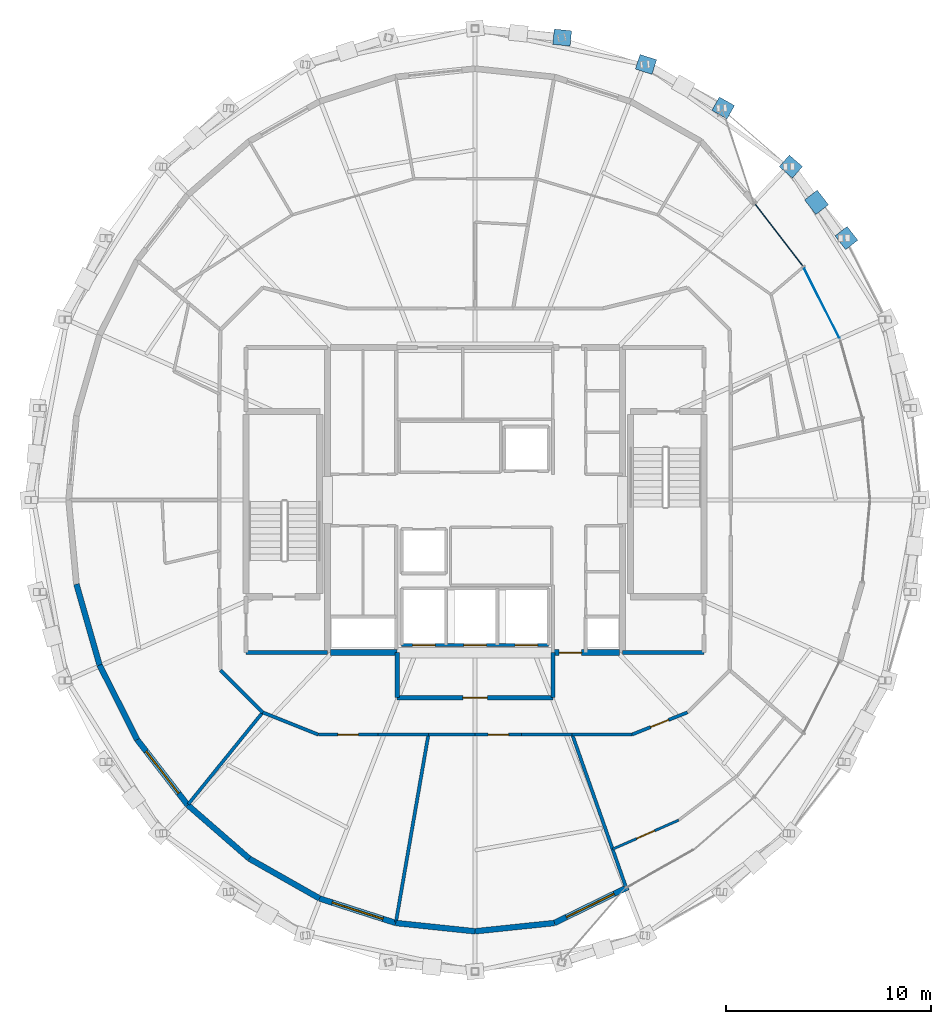
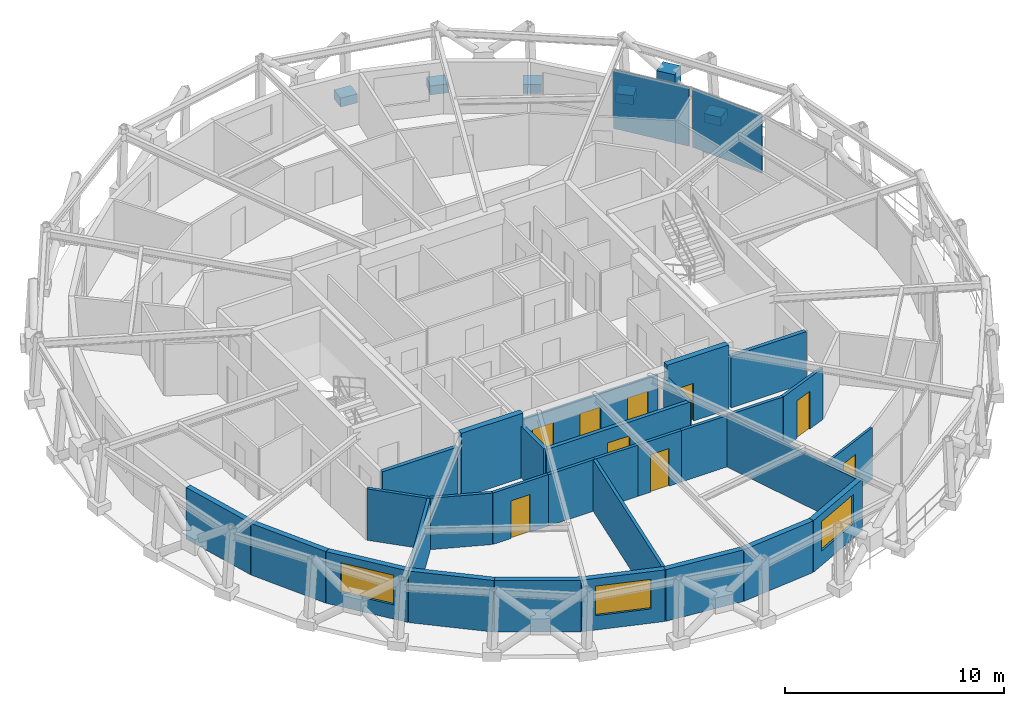
# One storey, part 10 of 15: 30 walls, 9 doors, 8 plates, 3 windows, 12 openings, 1 element without a shape of its own.
"""IFC4 building model written with IfcOpenShell, lengths in metres."""

from ifc_helpers import new_model, si_unit, direction, frame, frame_2d, origin, origin_2d, place, context, subcontext, project, spatial, rectangle, extrude, material, layer, layer_set, type_object, element, fill, aggregate, save


model = new_model("IFC4")

# Units and contexts
model_context = context("Model", 3, precision=1e-05, world=origin(), true_north=direction((0.0, 1.0)))
body_context = subcontext(model_context, "Body", "Model", "MODEL_VIEW")
ifc_project = project(units=[si_unit("LENGTHUNIT", "METRE"), si_unit("AREAUNIT", "SQUARE_METRE"), si_unit("VOLUMEUNIT", "CUBIC_METRE"), si_unit("PLANEANGLEUNIT", "RADIAN"), si_unit("MASSUNIT", "GRAM", prefix="KILO")], contexts=[model_context])

# Site, building, storey
site_placement = place(None, origin())
site = spatial("IfcSite", under=ifc_project, at=site_placement, CompositionType="ELEMENT")
building_placement = place(site_placement, origin())
building = spatial("IfcBuilding", under=site, at=building_placement, Name="Veldorina Hangang Commons", CompositionType="ELEMENT")
storey_placement = place(building_placement, frame((0.0, 0.0, 265.199951171875)))
storey = spatial("IfcBuildingStorey", under=building, at=storey_placement, Name="L69", CompositionType="ELEMENT", Elevation=265.199951171875)

# Curtain wall, plates
ifc_material_1 = material(Name="Glass Low-E Selective", Category="glass")
ifc_layer_1 = layer(ifc_material_1, 0.179931640625)
ifc_layer_set_1 = layer_set([ifc_layer_1], Name="Glass Low-E Selective")
curtain_wall_type = type_object("IfcCurtainWallType", Name="CW-SYS-Z3", PredefinedType="NOTDEFINED", material=ifc_layer_set_1)
curtain_wall_placement = place(storey_placement, origin())
curtain_wall = element("IfcCurtainWall", 1, at=curtain_wall_placement, inside=storey, type_object=curtain_wall_type, Name="L69 unitised curtain wall CW-L69-R2", PredefinedType="NOTDEFINED")
ifc_material_2 = material(Name="Glass Low-E Triple IGU", Category="glass")
ifc_layer_2 = layer(ifc_material_2, 0.0400390625)
ifc_layer_set_2 = layer_set([ifc_layer_2], Name="Glass Low-E Triple IGU")
plate_type_1 = type_object("IfcPlateType", Name="CW-PNL-VIS", PredefinedType="CURTAIN_PANEL", material=ifc_layer_set_2)
plate_1_placement = place(storey_placement, frame((48.91845703125, 33.612060546875, 0.01513671875), z_axis=(0.0, 0.0, 1.0), x_axis=(-0.449287813798, 0.893387071975, 0.0)))
plate_1 = element("IfcPlate", 2, at=plate_1_placement, type_object=plate_type_1, Name="CW-L69-R2 facet 4 glazed vision panel", PredefinedType="CURTAIN_PANEL", context=body_context, shape_type="SweptSolid", body=[
    extrude(rectangle(XDim=3.784912109375, YDim=0.0400390625, at=origin_2d()), origin(), (0.0, 0.0, 1.0), 3.2900390625),
])
plate_2_placement = place(storey_placement, frame((46.8291015625, 36.935546875, 0.01513671875), z_axis=(0.0, 0.0, 1.0), x_axis=(-0.611126487654, 0.791532953254, 0.0)))
plate_2 = element("IfcPlate", 3, at=plate_2_placement, type_object=plate_type_1, Name="CW-L69-R2 facet 5 glazed vision panel", PredefinedType="CURTAIN_PANEL", context=body_context, shape_type="SweptSolid", body=[
    extrude(rectangle(XDim=3.74267578125, YDim=0.0400390625, at=origin_2d()), origin(), (0.0, 0.0, 1.0), 3.2900390625),
])
aggregate(curtain_wall, [plate_1, plate_2])

# Plates
ifc_material_3 = material(Name="Steel SM460-TMC", Category="steel")
ifc_layer_3 = layer(ifc_material_3, 0.035888671875)
ifc_layer_set_3 = layer_set([ifc_layer_3], Name="Steel SM460-TMC")
plate_type_2 = type_object("IfcPlateType", Name="PL-STAR-36", PredefinedType="USERDEFINED", material=ifc_layer_set_3)
plate_3_placement = place(storey_placement, frame((50.123046875, 36.783203125, -0.08984375), z_axis=(0.0, 0.0, 1.0), x_axis=(-0.613761724652, 0.789491320632, 0.0)))
element("IfcPlate", 4, at=plate_3_placement, inside=storey, type_object=plate_type_2, Name="L69 diagrid star-node gusset plate 03", ObjectType="GUSSET PLATE", PredefinedType="USERDEFINED", context=body_context, shape_type="SweptSolid", body=[
    extrude(rectangle(XDim=0.85009765625, YDim=0.75, at=origin_2d()), origin(), (0.0, 0.0, 1.0), 0.5),
])
plate_4_placement = place(storey_placement, frame((48.6650390625, 38.526611328125, 1.354736328125), z_axis=(0.0, 0.0, 1.0), x_axis=(-0.613761724652, 0.789491320632, 0.0)))
element("IfcPlate", 5, at=plate_4_placement, inside=storey, type_object=plate_type_2, Name="L69 diagrid X-crossing star-node gusset plate 03", ObjectType="GUSSET PLATE", PredefinedType="USERDEFINED", context=body_context, shape_type="SweptSolid", body=[
    extrude(rectangle(XDim=0.89990234375, YDim=0.780029296875, at=origin_2d()), origin(), (0.0, 0.0, 1.0), 0.89990234375),
])
for number, where, z_axis, x_axis, name in (
    (6, (47.412353515625, 40.27001953125, -0.08984375), (0.0, 0.0, 1.0), (-0.755819185983, 0.654780389215, 0.0), "L69 diagrid star-node gusset plate 04"),
    (7, (44.109375, 43.13134765625, -0.08984375), (0.0, 0.0, 1.0), (-0.870930926368, 0.491405455297, 0.0), "L69 diagrid star-node gusset plate 05"),
    (8, (40.341064453125, 45.257568359375, -0.08984375), (0.0, 0.0, 1.0), (-0.952358546335, 0.30498065385, 0.0), "L69 diagrid star-node gusset plate 06"),
    (9, (36.252197265625, 46.56689453125, -0.08984375), (0.0, 0.0, 1.0), (-0.994638034319, 0.103417506668, 0.0), "L69 diagrid star-node gusset plate 07"),
):
    element("IfcPlate", number, at=place(storey_placement, frame(where, z_axis=z_axis, x_axis=x_axis)), inside=storey, type_object=plate_type_2, Name=name, ObjectType="GUSSET PLATE", PredefinedType="USERDEFINED", context=body_context, shape_type="SweptSolid", body=[
        extrude(rectangle(XDim=0.85009765625, YDim=0.75, at=origin_2d()), origin(), (0.0, 0.0, 1.0), 0.5),
    ])

# Wall
ifc_material_4 = material(Name="Concrete C50/60", Category="concrete")
ifc_layer_4 = layer(ifc_material_4, 0.300048828125)
ifc_layer_set_4 = layer_set([ifc_layer_4], Name="Concrete C50/60")
wall_type_1 = type_object("IfcWallType", Name="CW-RC300-C50", PredefinedType="SHEAR", material=ifc_layer_set_4)
wall_1_placement = place(storey_placement, frame((24.949951171875, 16.550048828125, 0.0), z_axis=(0.0, 0.0, 1.0), x_axis=(1.0, 0.0, 0.0)))
element("IfcWall", 10, at=wall_1_placement, inside=storey, type_object=wall_type_1, Name="L69 south-west core shear wall", PredefinedType="SHEAR", context=body_context, shape_type="SweptSolid", body=[
    extrude(rectangle(XDim=3.25, YDim=0.300048828125, at=frame_2d((1.625, 0.0))), origin(), (0.0, 0.0, 1.0), 3.60009765625),
])

# Wall, opening, door
wall_2_placement = place(storey_placement, frame((35.800048828125, 16.550048828125, 0.0), z_axis=(0.0, 0.0, 1.0), x_axis=(1.0, 0.0, 0.0)))
wall_2 = element("IfcWall", 11, at=wall_2_placement, inside=storey, type_object=wall_type_1, Name="L69 south-east core shear wall", PredefinedType="SHEAR", context=body_context, shape_type="SweptSolid", body=[
    extrude(rectangle(XDim=3.25, YDim=0.300048828125, at=frame_2d((1.625, 0.0))), origin(), (0.0, 0.0, 1.0), 3.60009765625),
])
opening_1_placement = place(wall_2_placement, frame((0.300048828125, 0.0, 0.0)))
opening_1 = element("IfcOpeningElement", 12, at=opening_1_placement, cuts=wall_2, Name="Opening D-08", PredefinedType="OPENING", context=body_context, shape_type="SweptSolid", body=[
    extrude(rectangle(XDim=1.10009765625, YDim=2.10009765625, at=frame_2d((0.550048828125, 1.050048828125))), frame((0.0, 0.16015625, 0.0), z_axis=(0.0, -1.0, 0.0), x_axis=(1.0, 0.0, 0.0)), (0.0, 0.0, 1.0), 0.320068359375),
])
ifc_material_5 = material(Name="Steel Fire-Rated Smoke Seal", Category="steel")
door_type_1 = type_object("IfcDoorType", Name="DR-FIRE-1100", OperationType="SINGLE_SWING_RIGHT", PredefinedType="DOOR", material=ifc_material_5)
door_1_placement = place(opening_1_placement, origin())
door_1 = element("IfcDoor", 13, at=door_1_placement, inside=storey, type_object=door_type_1, Name="L69 central lift lobby south corridor door", OperationType="SINGLE_SWING_RIGHT", OverallHeight=2.10009765625, OverallWidth=1.10009765625, PredefinedType="DOOR", context=body_context, shape_type="SweptSolid", body=[
    extrude(rectangle(XDim=1.10009765625, YDim=2.10009765625, at=frame_2d((0.550048828125, 1.050048828125))), frame((0.0, 0.02490234375, 0.0), z_axis=(0.0, -1.0, 0.0), x_axis=(1.0, 0.0, 0.0)), (0.0, 0.0, 1.0), 0.050048828125),
])
fill(opening_1, door_1)

# Walls
ifc_material_6 = material(Name="Stone Roman Travertine", Category="masonry")
ifc_layer_5 = layer(ifc_material_6, 0.280029296875)
ifc_layer_set_5 = layer_set([ifc_layer_5], Name="Stone Roman Travertine")
wall_type_2 = type_object("IfcWallType", Name="EW-TRAV-280", PredefinedType="STANDARD", material=ifc_layer_set_5)
wall_3_placement = place(storey_placement, frame((12.544921875, 19.8935546875, 0.0), z_axis=(0.0, 0.0, 1.0), x_axis=(0.274823195621, -0.961494779574, 0.0)))
element("IfcWall", 14, at=wall_3_placement, inside=storey, type_object=wall_type_2, Name="L69 travertine facade wall 17", PredefinedType="STANDARD", context=body_context, shape_type="SweptSolid", body=[
    extrude(rectangle(XDim=4.10693359375, YDim=0.280029296875, at=frame_2d((2.053466796875, 0.0))), origin(), (0.0, 0.0, 1.0), 2.880126953125),
])
wall_4_placement = place(storey_placement, frame((13.673583984375, 15.94482421875, 0.0), z_axis=(0.0, 0.0, 1.0), x_axis=(0.449847948813, -0.893105157833, 0.0)))
element("IfcWall", 15, at=wall_4_placement, inside=storey, type_object=wall_type_2, Name="L69 travertine facade wall 18", PredefinedType="STANDARD", context=body_context, shape_type="SweptSolid", body=[
    extrude(rectangle(XDim=4.07470703125, YDim=0.280029296875, at=frame_2d((2.037353515625, 0.0))), origin(), (0.0, 0.0, 1.0), 2.880126953125),
])

# Wall, opening, window
wall_5_placement = place(storey_placement, frame((15.506591796875, 12.3056640625, 0.0), z_axis=(0.0, 0.0, 1.0), x_axis=(0.611762796107, -0.791041263968, 0.0)))
wall_5 = element("IfcWall", 16, at=wall_5_placement, inside=storey, type_object=wall_type_2, Name="L69 travertine facade wall 19", PredefinedType="STANDARD", context=body_context, shape_type="SweptSolid", body=[
    extrude(rectangle(XDim=4.0322265625, YDim=0.280029296875, at=frame_2d((2.01611328125, 0.0))), origin(), (0.0, 0.0, 1.0), 2.880126953125),
])
opening_2_placement = place(wall_5_placement, frame((0.71630859375, 0.0, 0.800048828125)))
opening_2 = element("IfcOpeningElement", 17, at=opening_2_placement, cuts=wall_5, Name="Opening W-02", PredefinedType="OPENING", context=body_context, shape_type="SweptSolid", body=[
    extrude(rectangle(XDim=2.60009765625, YDim=1.64990234375, at=frame_2d((1.300048828125, 0.824951171875))), frame((0.0, 0.14990234375, 0.0), z_axis=(0.0, -1.0, 0.0), x_axis=(1.0, 0.0, 0.0)), (0.0, 0.0, 1.0), 0.300048828125),
])
window_type = type_object("IfcWindowType", Name="WIN-TWR-2600", PartitioningType="SINGLE_PANEL", PredefinedType="WINDOW", material=ifc_material_2)
window_1_placement = place(opening_2_placement, origin())
window_1 = element("IfcWindow", 18, at=window_1_placement, inside=storey, type_object=window_type, Name="L69 facade window 19", OverallHeight=1.64990234375, OverallWidth=2.60009765625, PartitioningType="SINGLE_PANEL", PredefinedType="WINDOW", context=body_context, shape_type="SweptSolid", body=[
    extrude(rectangle(XDim=2.60009765625, YDim=1.64990234375, at=frame_2d((1.300048828125, 0.824951171875))), frame((0.0, 0.030029296875, 0.0), z_axis=(0.0, -1.0, 0.0), x_axis=(1.0, 0.0, 0.0)), (0.0, 0.0, 1.0), 0.06005859375),
])
fill(opening_2, window_1)

# Walls
wall_6_placement = place(storey_placement, frame((17.973388671875, 9.115966796875, 0.0), z_axis=(0.0, 0.0, 1.0), x_axis=(0.75414910989, -0.656703220681, 0.0)))
element("IfcWall", 19, at=wall_6_placement, inside=storey, type_object=wall_type_2, Name="L69 travertine facade wall 20", PredefinedType="STANDARD", context=body_context, shape_type="SweptSolid", body=[
    extrude(rectangle(XDim=3.986083984375, YDim=0.280029296875, at=frame_2d((1.9931640625, 0.0))), origin(), (0.0, 0.0, 1.0), 2.880126953125),
])
wall_7_placement = place(storey_placement, frame((20.9794921875, 6.498291015625, 0.0), z_axis=(0.0, 0.0, 1.0), x_axis=(0.869835312163, -0.49334220346, 0.0)))
element("IfcWall", 20, at=wall_7_placement, inside=storey, type_object=wall_type_2, Name="L69 travertine facade wall 21", PredefinedType="STANDARD", context=body_context, shape_type="SweptSolid", body=[
    extrude(rectangle(XDim=3.942626953125, YDim=0.280029296875, at=frame_2d((1.97119140625, 0.0))), origin(), (0.0, 0.0, 1.0), 2.880126953125),
])

# Wall, opening, window
wall_8_placement = place(storey_placement, frame((24.408935546875, 4.55322265625, 0.0), z_axis=(0.0, 0.0, 1.0), x_axis=(0.951905022268, -0.306393258053, 0.0)))
wall_8 = element("IfcWall", 21, at=wall_8_placement, inside=storey, type_object=wall_type_2, Name="L69 travertine facade wall 22", PredefinedType="STANDARD", context=body_context, shape_type="SweptSolid", body=[
    extrude(rectangle(XDim=3.9091796875, YDim=0.280029296875, at=frame_2d((1.95458984375, 0.0))), origin(), (0.0, 0.0, 1.0), 2.880126953125),
])
opening_3_placement = place(wall_8_placement, frame((0.654541015625, 0.0, 0.800048828125)))
opening_3 = element("IfcOpeningElement", 22, at=opening_3_placement, cuts=wall_8, Name="Opening W-02", PredefinedType="OPENING", context=body_context, shape_type="SweptSolid", body=[
    extrude(rectangle(XDim=2.60009765625, YDim=1.64990234375, at=frame_2d((1.300048828125, 0.824951171875))), frame((0.0, 0.14990234375, 0.0), z_axis=(0.0, -1.0, 0.0), x_axis=(1.0, 0.0, 0.0)), (0.0, 0.0, 1.0), 0.300048828125),
])
window_2_placement = place(opening_3_placement, origin())
window_2 = element("IfcWindow", 23, at=window_2_placement, inside=storey, type_object=window_type, Name="L69 facade window 22", OverallHeight=1.64990234375, OverallWidth=2.60009765625, PartitioningType="SINGLE_PANEL", PredefinedType="WINDOW", context=body_context, shape_type="SweptSolid", body=[
    extrude(rectangle(XDim=2.60009765625, YDim=1.64990234375, at=frame_2d((1.300048828125, 0.824951171875))), frame((0.0, 0.030029296875, 0.0), z_axis=(0.0, -1.0, 0.0), x_axis=(1.0, 0.0, 0.0)), (0.0, 0.0, 1.0), 0.06005859375),
])
fill(opening_3, window_2)

# Walls
for number, where, z_axis, x_axis, name in (
    (24, (28.130126953125, 3.35546875, 0.0), (0.0, 0.0, 1.0), (0.9945804904, -0.103969457611, 0.0), "L69 travertine facade wall 23"),
    (25, (32.0, 2.950927734375, 0.0), (0.0, 0.0, 1.0), (0.9945804904, 0.103969457611, 0.0), "L69 travertine facade wall 24"),
):
    element("IfcWall", number, at=place(storey_placement, frame(where, z_axis=z_axis, x_axis=x_axis)), inside=storey, type_object=wall_type_2, Name=name, PredefinedType="STANDARD", context=body_context, shape_type="SweptSolid", body=[
        extrude(rectangle(XDim=3.890869140625, YDim=0.280029296875, at=frame_2d((1.9453125, 0.0))), origin(), (0.0, 0.0, 1.0), 2.880126953125),
    ])

# Wall, opening, window
wall_9_placement = place(storey_placement, frame((35.869873046875, 3.35546875, 0.0), z_axis=(0.0, 0.0, 1.0), x_axis=(0.898339353793, 0.439302180084, 0.0)))
wall_9 = element("IfcWall", 26, at=wall_9_placement, inside=storey, type_object=wall_type_2, Name="L69 travertine facade wall 25", PredefinedType="STANDARD", context=body_context, shape_type="SweptSolid", body=[
    extrude(rectangle(XDim=3.995849609375, YDim=0.280029296875, at=frame_2d((1.998046875, 0.0))), origin(), (0.0, 0.0, 1.0), 2.880126953125),
])
opening_4_placement = place(wall_9_placement, frame((0.65185546875, 0.0, 0.800048828125)))
opening_4 = element("IfcOpeningElement", 27, at=opening_4_placement, cuts=wall_9, Name="Opening W-02", PredefinedType="OPENING", context=body_context, shape_type="SweptSolid", body=[
    extrude(rectangle(XDim=2.60009765625, YDim=1.64990234375, at=frame_2d((1.300048828125, 0.824951171875))), frame((0.0, 0.14990234375, 0.0), z_axis=(0.0, -1.0, 0.0), x_axis=(1.0, 0.0, 0.0)), (0.0, 0.0, 1.0), 0.300048828125),
])
window_3_placement = place(opening_4_placement, origin())
window_3 = element("IfcWindow", 28, at=window_3_placement, inside=storey, type_object=window_type, Name="L69 facade window 25", OverallHeight=1.64990234375, OverallWidth=2.60009765625, PartitioningType="SINGLE_PANEL", PredefinedType="WINDOW", context=body_context, shape_type="SweptSolid", body=[
    extrude(rectangle(XDim=2.60009765625, YDim=1.64990234375, at=frame_2d((1.300048828125, 0.824951171875))), frame((0.0, 0.030029296875, 0.0), z_axis=(0.0, -1.0, 0.0), x_axis=(1.0, 0.0, 0.0)), (0.0, 0.0, 1.0), 0.06005859375),
])
fill(opening_4, window_3)

# Wall, openings, doors
ifc_material_7 = material(Name="Gypsum Fire-Rated Twin Stud Wall", Category="gypsum")
ifc_layer_6 = layer(ifc_material_7, 0.159912109375)
ifc_layer_set_6 = layer_set([ifc_layer_6], Name="Gypsum Fire-Rated Twin Stud Wall")
wall_type_3 = type_object("IfcWallType", Name="WL-FIRE-160", PredefinedType="SOLIDWALL", material=ifc_layer_set_6)
wall_10_placement = place(storey_placement, frame((28.419921875, 16.919921875, 0.0), z_axis=(0.0, 0.0, 1.0), x_axis=(1.0, 0.0, 0.0)))
wall_10 = element("IfcWall", 29, at=wall_10_placement, inside=storey, type_object=wall_type_3, Name="L69 Emergency front shaft wall 023", PredefinedType="SOLIDWALL", context=body_context, shape_type="SweptSolid", body=[
    extrude(rectangle(XDim=7.16015625, YDim=0.159912109375, at=frame_2d((3.580078125, 0.0))), origin(), (0.0, 0.0, 1.0), 2.8701171875),
])
opening_5_placement = place(wall_10_placement, frame((0.530029296875, 0.0, 0.0)))
opening_5 = element("IfcOpeningElement", 30, at=opening_5_placement, cuts=wall_10, Name="Opening LD-03", PredefinedType="OPENING", context=body_context, shape_type="SweptSolid", body=[
    extrude(rectangle(XDim=1.10009765625, YDim=2.14990234375, at=frame_2d((0.550048828125, 1.074951171875))), frame((0.0, 0.08984375, 0.0), z_axis=(0.0, -1.0, 0.0), x_axis=(1.0, 0.0, 0.0)), (0.0, 0.0, 1.0), 0.179931640625),
])
opening_6_placement = place(wall_10_placement, frame((3.030029296875, 0.0, 0.0)))
opening_6 = element("IfcOpeningElement", 31, at=opening_6_placement, cuts=wall_10, Name="Opening LD-03", PredefinedType="OPENING", context=body_context, shape_type="SweptSolid", body=[
    extrude(rectangle(XDim=1.10009765625, YDim=2.14990234375, at=frame_2d((0.550048828125, 1.074951171875))), frame((0.0, 0.08984375, 0.0), z_axis=(0.0, -1.0, 0.0), x_axis=(1.0, 0.0, 0.0)), (0.0, 0.0, 1.0), 0.179931640625),
])
opening_7_placement = place(wall_10_placement, frame((5.530029296875, 0.0, 0.0)))
opening_7 = element("IfcOpeningElement", 32, at=opening_7_placement, cuts=wall_10, Name="Opening LD-03", PredefinedType="OPENING", context=body_context, shape_type="SweptSolid", body=[
    extrude(rectangle(XDim=1.10009765625, YDim=2.14990234375, at=frame_2d((0.550048828125, 1.074951171875))), frame((0.0, 0.08984375, 0.0), z_axis=(0.0, -1.0, 0.0), x_axis=(1.0, 0.0, 0.0)), (0.0, 0.0, 1.0), 0.179931640625),
])
ifc_material_8 = material(Name="Stainless Steel Firefighting Lift Door", Category="steel")
door_type_2 = type_object("IfcDoorType", Name="DR-LIFT-FF1100", OperationType="SLIDING_TO_RIGHT", PredefinedType="DOOR", material=ifc_material_8)
door_2_placement = place(opening_5_placement, origin())
door_2 = element("IfcDoor", 33, at=door_2_placement, inside=storey, type_object=door_type_2, Name="L69 Emergency lift FFL-1 landing door 008", OperationType="SLIDING_TO_RIGHT", OverallHeight=2.14990234375, OverallWidth=1.10009765625, PredefinedType="DOOR", context=body_context, shape_type="SweptSolid", body=[
    extrude(rectangle(XDim=1.10009765625, YDim=2.14990234375, at=frame_2d((0.550048828125, 1.074951171875))), frame((0.0, 0.02490234375, 0.0), z_axis=(0.0, -1.0, 0.0), x_axis=(1.0, 0.0, 0.0)), (0.0, 0.0, 1.0), 0.050048828125),
])
fill(opening_5, door_2)
door_3_placement = place(opening_6_placement, origin())
door_3 = element("IfcDoor", 34, at=door_3_placement, inside=storey, type_object=door_type_2, Name="L69 Emergency lift FFL-2 landing door 009", OperationType="SLIDING_TO_RIGHT", OverallHeight=2.14990234375, OverallWidth=1.10009765625, PredefinedType="DOOR", context=body_context, shape_type="SweptSolid", body=[
    extrude(rectangle(XDim=1.10009765625, YDim=2.14990234375, at=frame_2d((0.550048828125, 1.074951171875))), frame((0.0, 0.02490234375, 0.0), z_axis=(0.0, -1.0, 0.0), x_axis=(1.0, 0.0, 0.0)), (0.0, 0.0, 1.0), 0.050048828125),
])
fill(opening_6, door_3)
door_4_placement = place(opening_7_placement, origin())
door_4 = element("IfcDoor", 35, at=door_4_placement, inside=storey, type_object=door_type_2, Name="L69 Emergency lift EVL-1 landing door 010", OperationType="SLIDING_TO_RIGHT", OverallHeight=2.14990234375, OverallWidth=1.10009765625, PredefinedType="DOOR", context=body_context, shape_type="SweptSolid", body=[
    extrude(rectangle(XDim=1.10009765625, YDim=2.14990234375, at=frame_2d((0.550048828125, 1.074951171875))), frame((0.0, 0.02490234375, 0.0), z_axis=(0.0, -1.0, 0.0), x_axis=(1.0, 0.0, 0.0)), (0.0, 0.0, 1.0), 0.050048828125),
])
fill(opening_7, door_4)

# Walls
wall_11_placement = place(storey_placement, frame((19.5732421875, 15.69677734375, 0.0), z_axis=(0.0, 0.0, 1.0), x_axis=(0.707106781187, -0.707106781187, 0.0)))
element("IfcWall", 36, at=wall_11_placement, inside=storey, type_object=wall_type_3, Name="L69 Compact collar outer wall 19 075", PredefinedType="SOLIDWALL", context=body_context, shape_type="SweptSolid", body=[
    extrude(rectangle(XDim=2.915771484375, YDim=0.159912109375, at=frame_2d((1.4580078125, 0.0))), origin(), (0.0, 0.0, 1.0), 2.8701171875),
])
wall_12_placement = place(storey_placement, frame((21.635009765625, 13.635009765625, 0.0), z_axis=(0.0, 0.0, 1.0), x_axis=(0.92856882165, -0.371160266542, 0.0)))
element("IfcWall", 37, at=wall_12_placement, inside=storey, type_object=wall_type_3, Name="L69 Compact collar outer wall 20 076", PredefinedType="SOLIDWALL", context=body_context, shape_type="SweptSolid", body=[
    extrude(rectangle(XDim=2.923095703125, YDim=0.159912109375, at=frame_2d((1.46142578125, 0.0))), origin(), (0.0, 0.0, 1.0), 2.8701171875),
])

# Wall, opening, door
wall_13_placement = place(storey_placement, frame((24.349365234375, 12.550048828125, 0.0), z_axis=(0.0, 0.0, 1.0), x_axis=(1.0, 0.0, 0.0)))
wall_13 = element("IfcWall", 38, at=wall_13_placement, inside=storey, type_object=wall_type_3, Name="L69 Compact collar outer wall 21 077", PredefinedType="SOLIDWALL", context=body_context, shape_type="SweptSolid", body=[
    extrude(rectangle(XDim=2.907958984375, YDim=0.159912109375, at=frame_2d((1.4541015625, 0.0))), origin(), (0.0, 0.0, 1.0), 2.8701171875),
])
opening_8_placement = place(wall_13_placement, frame((0.9541015625, 0.0, 0.0)))
opening_8 = element("IfcOpeningElement", 39, at=opening_8_placement, cuts=wall_13, Name="Opening D-05", PredefinedType="OPENING", context=body_context, shape_type="SweptSolid", body=[
    extrude(rectangle(XDim=1.0, YDim=2.10009765625, at=frame_2d((0.5, 1.050048828125))), frame((0.0, 0.08984375, 0.0), z_axis=(0.0, -1.0, 0.0), x_axis=(1.0, 0.0, 0.0)), (0.0, 0.0, 1.0), 0.179931640625),
])
ifc_material_9 = material(Name="Timber Solid Core Acoustic", Category="wood")
door_type_3 = type_object("IfcDoorType", Name="DR-INT-1000", OperationType="SINGLE_SWING_RIGHT", PredefinedType="DOOR", material=ifc_material_9)
door_5_placement = place(opening_8_placement, origin())
door_5 = element("IfcDoor", 40, at=door_5_placement, inside=storey, type_object=door_type_3, Name="L69 Floor Study Room 6 door 039", OperationType="SINGLE_SWING_LEFT", OverallHeight=2.10009765625, OverallWidth=1.0, PredefinedType="DOOR", context=body_context, shape_type="SweptSolid", body=[
    extrude(rectangle(XDim=1.0, YDim=2.10009765625, at=frame_2d((0.5, 1.050048828125))), frame((0.0, 0.02490234375, 0.0), z_axis=(0.0, -1.0, 0.0), x_axis=(1.0, 0.0, 0.0)), (0.0, 0.0, 1.0), 0.050048828125),
])
fill(opening_8, door_5)

# Walls
wall_14_placement = place(storey_placement, frame((27.25732421875, 12.550048828125, 0.0), z_axis=(0.0, 0.0, 1.0), x_axis=(1.0, 0.0, 0.0)))
element("IfcWall", 41, at=wall_14_placement, inside=storey, type_object=wall_type_3, Name="L69 Compact collar outer wall 22 078", PredefinedType="SOLIDWALL", context=body_context, shape_type="SweptSolid", body=[
    extrude(rectangle(XDim=2.465087890625, YDim=0.159912109375, at=frame_2d((1.232421875, 0.0))), origin(), (0.0, 0.0, 1.0), 2.8701171875),
])
wall_15_placement = place(storey_placement, frame((29.722412109375, 12.550048828125, 0.0), z_axis=(0.0, 0.0, 1.0), x_axis=(1.0, 0.0, 0.0)))
element("IfcWall", 42, at=wall_15_placement, inside=storey, type_object=wall_type_3, Name="L69 Compact collar outer wall 23 079", PredefinedType="SOLIDWALL", context=body_context, shape_type="SweptSolid", body=[
    extrude(rectangle(XDim=2.277587890625, YDim=0.159912109375, at=frame_2d((1.138671875, 0.0))), origin(), (0.0, 0.0, 1.0), 2.8701171875),
])

# Wall, opening, door
wall_16_placement = place(storey_placement, frame((32.0, 12.550048828125, 0.0), z_axis=(0.0, 0.0, 1.0), x_axis=(1.0, 0.0, 0.0)))
wall_16 = element("IfcWall", 43, at=wall_16_placement, inside=storey, type_object=wall_type_3, Name="L69 Compact collar outer wall 24 080", PredefinedType="SOLIDWALL", context=body_context, shape_type="SweptSolid", body=[
    extrude(rectangle(XDim=2.277587890625, YDim=0.159912109375, at=frame_2d((1.138671875, 0.0))), origin(), (0.0, 0.0, 1.0), 2.8701171875),
])
opening_9_placement = place(wall_16_placement, frame((0.638671875, 0.0, 0.0)))
opening_9 = element("IfcOpeningElement", 44, at=opening_9_placement, cuts=wall_16, Name="Opening D-05", PredefinedType="OPENING", context=body_context, shape_type="SweptSolid", body=[
    extrude(rectangle(XDim=1.0, YDim=2.10009765625, at=frame_2d((0.5, 1.050048828125))), frame((0.0, 0.08984375, 0.0), z_axis=(0.0, -1.0, 0.0), x_axis=(1.0, 0.0, 0.0)), (0.0, 0.0, 1.0), 0.179931640625),
])
door_6_placement = place(opening_9_placement, origin())
door_6 = element("IfcDoor", 45, at=door_6_placement, inside=storey, type_object=door_type_3, Name="L69 Seminar Focus Room 7 door 040", OperationType="SINGLE_SWING_RIGHT", OverallHeight=2.10009765625, OverallWidth=1.0, PredefinedType="DOOR", context=body_context, shape_type="SweptSolid", body=[
    extrude(rectangle(XDim=1.0, YDim=2.10009765625, at=frame_2d((0.5, 1.050048828125))), frame((0.0, 0.02490234375, 0.0), z_axis=(0.0, -1.0, 0.0), x_axis=(1.0, 0.0, 0.0)), (0.0, 0.0, 1.0), 0.050048828125),
])
fill(opening_9, door_6)

# Walls
wall_17_placement = place(storey_placement, frame((34.277587890625, 12.550048828125, 0.0), z_axis=(0.0, 0.0, 1.0), x_axis=(1.0, 0.0, 0.0)))
element("IfcWall", 46, at=wall_17_placement, inside=storey, type_object=wall_type_3, Name="L69 Compact collar outer wall 25 081", PredefinedType="SOLIDWALL", context=body_context, shape_type="SweptSolid", body=[
    extrude(rectangle(XDim=2.465087890625, YDim=0.159912109375, at=frame_2d((1.232421875, 0.0))), origin(), (0.0, 0.0, 1.0), 2.8701171875),
])
wall_18_placement = place(storey_placement, frame((36.74267578125, 12.550048828125, 0.0), z_axis=(0.0, 0.0, 1.0), x_axis=(1.0, 0.0, 0.0)))
element("IfcWall", 47, at=wall_18_placement, inside=storey, type_object=wall_type_3, Name="L69 Compact collar outer wall 26 082", PredefinedType="SOLIDWALL", context=body_context, shape_type="SweptSolid", body=[
    extrude(rectangle(XDim=2.907958984375, YDim=0.159912109375, at=frame_2d((1.4541015625, 0.0))), origin(), (0.0, 0.0, 1.0), 2.8701171875),
])

# Wall, opening, door
wall_19_placement = place(storey_placement, frame((39.650634765625, 12.550048828125, 0.0), z_axis=(0.0, 0.0, 1.0), x_axis=(0.92856882165, 0.371160266542, 0.0)))
wall_19 = element("IfcWall", 48, at=wall_19_placement, inside=storey, type_object=wall_type_3, Name="L69 Compact collar outer wall 27 083", PredefinedType="SOLIDWALL", context=body_context, shape_type="SweptSolid", body=[
    extrude(rectangle(XDim=2.923095703125, YDim=0.159912109375, at=frame_2d((1.46142578125, 0.0))), origin(), (0.0, 0.0, 1.0), 2.8701171875),
])
opening_10_placement = place(wall_19_placement, frame((0.986572265625, 0.0, 0.0)))
opening_10 = element("IfcOpeningElement", 49, at=opening_10_placement, cuts=wall_19, Name="Opening D-02", PredefinedType="OPENING", context=body_context, shape_type="SweptSolid", body=[
    extrude(rectangle(XDim=0.949951171875, YDim=2.10009765625, at=frame_2d((0.47509765625, 1.050048828125))), frame((0.0, 0.08984375, 0.0), z_axis=(0.0, -1.0, 0.0), x_axis=(1.0, 0.0, 0.0)), (0.0, 0.0, 1.0), 0.179931640625),
])
door_type_4 = type_object("IfcDoorType", Name="DR-INT-950", OperationType="SINGLE_SWING_LEFT", PredefinedType="DOOR", material=ifc_material_9)
door_7_placement = place(opening_10_placement, origin())
door_7 = element("IfcDoor", 50, at=door_7_placement, inside=storey, type_object=door_type_4, Name="L69 Linen drying store door 041", OperationType="SINGLE_SWING_LEFT", OverallHeight=2.10009765625, OverallWidth=0.949951171875, PredefinedType="DOOR", context=body_context, shape_type="SweptSolid", body=[
    extrude(rectangle(XDim=0.949951171875, YDim=2.10009765625, at=frame_2d((0.47509765625, 1.050048828125))), frame((0.0, 0.02490234375, 0.0), z_axis=(0.0, -1.0, 0.0), x_axis=(1.0, 0.0, 0.0)), (0.0, 0.0, 1.0), 0.050048828125),
])
fill(opening_10, door_7)

# Walls
wall_20_placement = place(storey_placement, frame((21.635009765625, 13.635009765625, 0.0), z_axis=(0.0, 0.0, 1.0), x_axis=(-0.629541636782, -0.776966748039, 0.0)))
element("IfcWall", 51, at=wall_20_placement, inside=storey, type_object=wall_type_3, Name="L69 Unit party wall 20 111", PredefinedType="SOLIDWALL", context=body_context, shape_type="SweptSolid", body=[
    extrude(rectangle(XDim=5.766357421875, YDim=0.159912109375, at=frame_2d((2.88330078125, 0.0))), origin(), (0.0, 0.0, 1.0), 2.8701171875),
])
wall_21_placement = place(storey_placement, frame((29.722412109375, 12.550048828125, 0.0), z_axis=(0.0, 0.0, 1.0), x_axis=(-0.170636222974, -0.985334095325, 0.0)))
element("IfcWall", 52, at=wall_21_placement, inside=storey, type_object=wall_type_3, Name="L69 Unit party wall 23 112", PredefinedType="SOLIDWALL", context=body_context, shape_type="SweptSolid", body=[
    extrude(rectangle(XDim=9.281494140625, YDim=0.159912109375, at=frame_2d((4.640625, 0.0))), origin(), (0.0, 0.0, 1.0), 2.8701171875),
])
wall_22_placement = place(storey_placement, frame((36.74267578125, 12.550048828125, 0.0), z_axis=(0.0, 0.0, 1.0), x_axis=(0.332170155592, -0.94321948015, 0.0)))
element("IfcWall", 53, at=wall_22_placement, inside=storey, type_object=wall_type_3, Name="L69 Unit party wall 26 113", PredefinedType="SOLIDWALL", context=body_context, shape_type="SweptSolid", body=[
    extrude(rectangle(XDim=7.8798828125, YDim=0.159912109375, at=frame_2d((3.93994140625, 0.0))), origin(), (0.0, 0.0, 1.0), 2.8701171875),
])
ifc_material_10 = material(Name="Concrete Blockwork Fire Wall C30/37", Category="masonry")
ifc_layer_7 = layer(ifc_material_10, 0.199951171875)
ifc_layer_set_7 = layer_set([ifc_layer_7], Name="Concrete Blockwork Fire Wall C30/37")
wall_type_4 = type_object("IfcWallType", Name="WL-FIRE-200", PredefinedType="SOLIDWALL", material=ifc_layer_set_7)
for number, where, z_axis, x_axis, name in (
    (54, (20.820068359375, 16.550048828125, 0.0), (0.0, 0.0, 1.0), (1.0, 0.0, 0.0), "L69 West vestibule south wall 002"),
    (55, (39.199951171875, 16.550048828125, 0.0), (0.0, 0.0, 1.0), (1.0, 0.0, 0.0), "L69 SE core room south wall 008"),
):
    element("IfcWall", number, at=place(storey_placement, frame(where, z_axis=z_axis, x_axis=x_axis)), inside=storey, type_object=wall_type_4, Name=name, PredefinedType="SOLIDWALL", context=body_context, shape_type="SweptSolid", body=[
        extrude(rectangle(XDim=3.97998046875, YDim=0.199951171875, at=frame_2d((1.989990234375, 0.0))), origin(), (0.0, 0.0, 1.0), 2.8701171875),
    ])
for number, where, z_axis, x_axis, name in (
    (56, (28.199951171875, 14.35009765625, 0.0), (0.0, 0.0, 1.0), (0.0, 1.0, 0.0), "L69 FF lobby west wall 012"),
    (57, (35.800048828125, 14.35009765625, 0.0), (0.0, 0.0, 1.0), (0.0, 1.0, 0.0), "L69 FF lobby east wall 013"),
):
    element("IfcWall", number, at=place(storey_placement, frame(where, z_axis=z_axis, x_axis=x_axis)), inside=storey, type_object=wall_type_4, Name=name, PredefinedType="SOLIDWALL", context=body_context, shape_type="SweptSolid", body=[
        extrude(rectangle(XDim=2.199951171875, YDim=0.199951171875, at=frame_2d((1.10009765625, 0.0))), origin(), (0.0, 0.0, 1.0), 2.8701171875),
    ])

# Wall, opening, door
wall_23_placement = place(storey_placement, frame((28.199951171875, 14.35009765625, 0.0), z_axis=(0.0, 0.0, 1.0), x_axis=(1.0, 0.0, 0.0)))
wall_23 = element("IfcWall", 58, at=wall_23_placement, inside=storey, type_object=wall_type_4, Name="L69 FF lobby south wall 014", PredefinedType="SOLIDWALL", context=body_context, shape_type="SweptSolid", body=[
    extrude(rectangle(XDim=7.60009765625, YDim=0.199951171875, at=frame_2d((3.800048828125, 0.0))), origin(), (0.0, 0.0, 1.0), 2.8701171875),
])
opening_11_placement = place(wall_23_placement, frame((3.199951171875, 0.0, 0.0)))
opening_11 = element("IfcOpeningElement", 59, at=opening_11_placement, cuts=wall_23, Name="Opening D-09", PredefinedType="OPENING", context=body_context, shape_type="SweptSolid", body=[
    extrude(rectangle(XDim=1.199951171875, YDim=2.10009765625, at=frame_2d((0.60009765625, 1.050048828125))), frame((0.0, 0.10986328125, 0.0), z_axis=(0.0, -1.0, 0.0), x_axis=(1.0, 0.0, 0.0)), (0.0, 0.0, 1.0), 0.219970703125),
])
ifc_material_11 = material(Name="Steel Fire-Rated Corridor Door", Category="steel")
door_type_5 = type_object("IfcDoorType", Name="DR-FIRE-1200", OperationType="SINGLE_SWING_LEFT", PredefinedType="DOOR", material=ifc_material_11)
door_8_placement = place(opening_11_placement, origin())
door_8 = element("IfcDoor", 60, at=door_8_placement, inside=storey, type_object=door_type_5, Name="L69 FF lobby south corridor door 005", OperationType="SINGLE_SWING_LEFT", OverallHeight=2.10009765625, OverallWidth=1.199951171875, PredefinedType="DOOR", context=body_context, shape_type="SweptSolid", body=[
    extrude(rectangle(XDim=1.199951171875, YDim=2.10009765625, at=frame_2d((0.60009765625, 1.050048828125))), frame((0.0, 0.02490234375, 0.0), z_axis=(0.0, -1.0, 0.0), x_axis=(1.0, 0.0, 0.0)), (0.0, 0.0, 1.0), 0.050048828125),
])
fill(opening_11, door_8)

ifc_material_12 = material(Name="Gypsum Acoustic Stud Partition", Category="gypsum")
ifc_layer_8 = layer(ifc_material_12, 0.1201171875)
ifc_layer_set_8 = layer_set([ifc_layer_8], Name="Gypsum Acoustic Stud Partition")
wall_type_5 = type_object("IfcWallType", Name="WL-PART-120", PredefinedType="PARTITIONING", material=ifc_layer_set_8)
wall_24_placement = place(storey_placement, frame((38.711669921875, 6.959228515625, 0.0), z_axis=(0.0, 0.0, 1.0), x_axis=(0.91571930983, 0.40181854811, 0.0)))
wall_24 = element("IfcWall", 61, at=wall_24_placement, inside=storey, type_object=wall_type_5, Name="L69 Laundry split 0 114", PredefinedType="PARTITIONING", context=body_context, shape_type="SweptSolid", body=[
    extrude(rectangle(XDim=3.522216796875, YDim=0.1201171875, at=frame_2d((1.76123046875, 0.0))), origin(), (0.0, 0.0, 1.0), 2.8701171875),
])
opening_12_placement = place(wall_24_placement, frame((1.2861328125, 0.0, 0.0)))
opening_12 = element("IfcOpeningElement", 62, at=opening_12_placement, cuts=wall_24, Name="Opening D-02", PredefinedType="OPENING", context=body_context, shape_type="SweptSolid", body=[
    extrude(rectangle(XDim=0.949951171875, YDim=2.10009765625, at=frame_2d((0.47509765625, 1.050048828125))), frame((0.0, 0.070068359375, 0.0), z_axis=(0.0, -1.0, 0.0), x_axis=(1.0, 0.0, 0.0)), (0.0, 0.0, 1.0), 0.14013671875),
])
door_9_placement = place(opening_12_placement, origin())
door_9 = element("IfcDoor", 63, at=door_9_placement, inside=storey, type_object=door_type_4, Name="L69 Resident laundry inner door 042", OperationType="SINGLE_SWING_RIGHT", OverallHeight=2.10009765625, OverallWidth=0.949951171875, PredefinedType="DOOR", context=body_context, shape_type="SweptSolid", body=[
    extrude(rectangle(XDim=0.949951171875, YDim=2.10009765625, at=frame_2d((0.47509765625, 1.050048828125))), frame((0.0, 0.02490234375, 0.0), z_axis=(0.0, -1.0, 0.0), x_axis=(1.0, 0.0, 0.0)), (0.0, 0.0, 1.0), 0.050048828125),
])
fill(opening_12, door_9)

save(model, "model.ifc")
